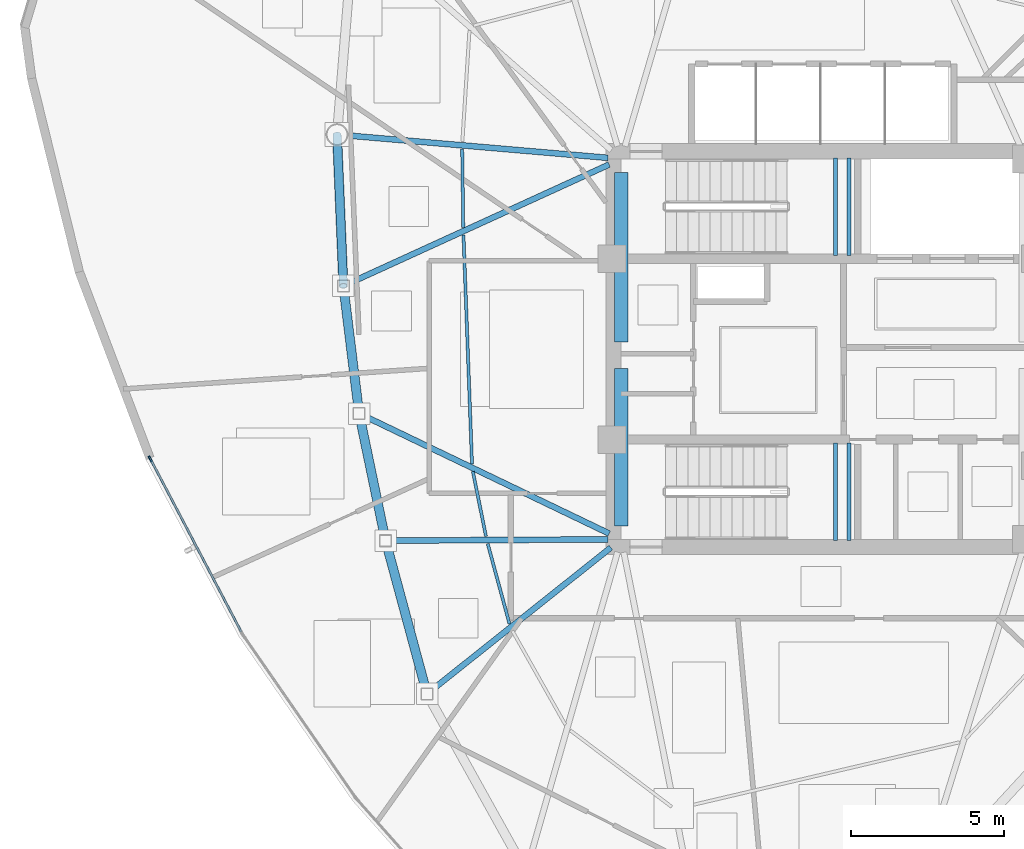
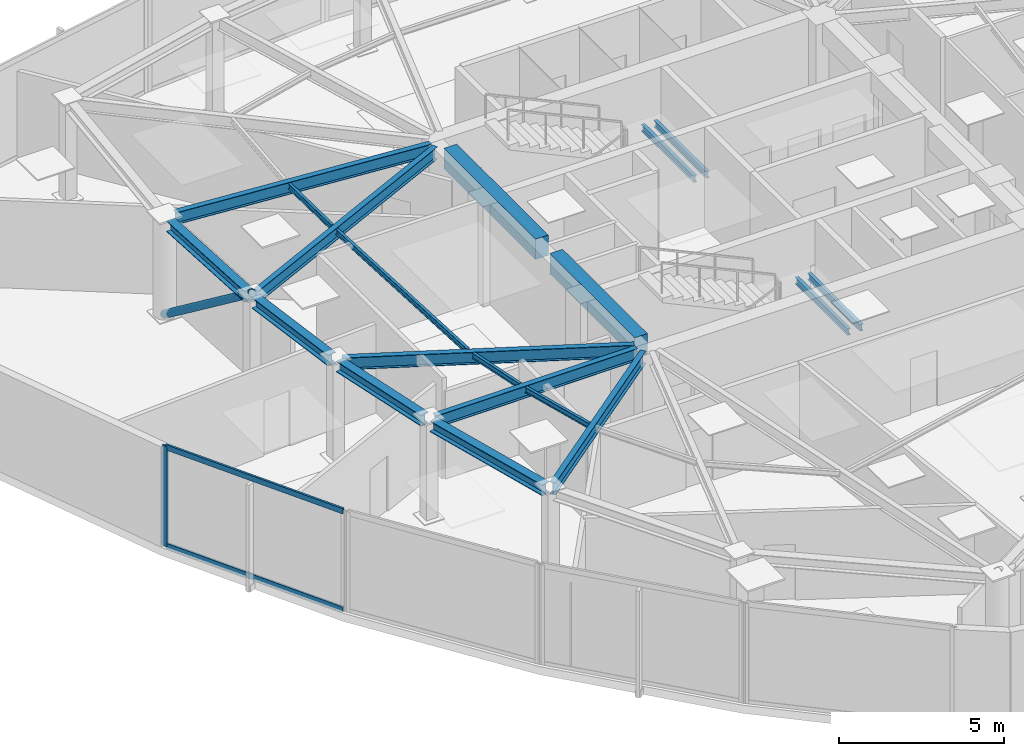
# One storey, part 3 of 13: 19 beams, 4 members, 1 element without a shape of its own.
"""IFC4 building model written with IfcOpenShell, lengths in metres."""

from ifc_helpers import new_model, si_unit, direction, frame, origin, origin_2d, place, context, subcontext, project, spatial, rectangle, hollow_rectangle, hollow_circle, i_section, extrude, source, transform, mapped, material, layer, layer_set, material_profile, profile_set, type_object, type_shapes, element, aggregate, save


model = new_model("IFC4")

# Units and contexts
model_context = context("Model", 3, precision=1e-05, world=origin(), true_north=direction((0.0, 1.0)))
body_context = subcontext(model_context, "Body", "Model", "MODEL_VIEW")
ifc_project = project(units=[si_unit("LENGTHUNIT", "METRE"), si_unit("AREAUNIT", "SQUARE_METRE"), si_unit("VOLUMEUNIT", "CUBIC_METRE"), si_unit("PLANEANGLEUNIT", "RADIAN"), si_unit("MASSUNIT", "GRAM", prefix="KILO")], contexts=[model_context])

# Site, building, storey
site_placement = place(None, origin())
site = spatial("IfcSite", under=ifc_project, at=site_placement, CompositionType="ELEMENT")
building_placement = place(site_placement, origin())
building = spatial("IfcBuilding", under=site, at=building_placement, Name="Tavelor Broadcast Tower", CompositionType="ELEMENT")
storey_placement = place(building_placement, frame((0.0, 0.0, 301.5)))
storey = spatial("IfcBuildingStorey", under=building, at=storey_placement, Name="L72", CompositionType="ELEMENT", Elevation=301.5)

# Beams
ifc_material_1 = material(Name="Concrete C40/50", Category="concrete")
ifc_material_profile_1 = material_profile(ifc_material_1, rectangle(XDim=0.449951171875, YDim=0.75, at=origin_2d()), Name="RC 450x750")
ifc_profile_set_1 = profile_set([ifc_material_profile_1], Name="Concrete C40/50")
beam_type_1 = type_object("IfcBeamType", Name="Basement Core Trim Beam 450x750", PredefinedType="BEAM", material=ifc_profile_set_1)
beam_1_placement = place(storey_placement, frame((43.39990234375, 45.23193359375, 3.324951171875), z_axis=(0.0, 1.0, 0.0), x_axis=(-1.0, 0.0, 0.0)))
element("IfcBeam", 1, at=beam_1_placement, inside=storey, type_object=beam_type_1, Name="L72 Core West-N Tie Girder", PredefinedType="BEAM", context=body_context, shape_type="SweptSolid", body=[
    extrude(rectangle(XDim=0.449951171875, YDim=0.75, at=origin_2d()), origin(), (0.0, 0.0, 1.0), 5.5361328125),
])
beam_2_placement = place(storey_placement, frame((43.39990234375, 39.23193359375, 3.324951171875), z_axis=(0.0, 1.0, 0.0), x_axis=(-1.0, 0.0, 0.0)))
element("IfcBeam", 2, at=beam_2_placement, inside=storey, type_object=beam_type_1, Name="L72 Core West-S Tie Girder", PredefinedType="BEAM", context=body_context, shape_type="SweptSolid", body=[
    extrude(rectangle(XDim=0.449951171875, YDim=0.75, at=origin_2d()), origin(), (0.0, 0.0, 1.0), 5.135986328125),
])
ifc_material_2 = material(Name="Steel S355", Category="steel")
ifc_material_profile_2 = material_profile(ifc_material_2, i_section(OverallWidth=0.10009765625, OverallDepth=0.199951171875, WebThickness=0.005615234375, FlangeThickness=0.008544921875, at=origin_2d()), Name="IPE 200")
ifc_profile_set_2 = profile_set([ifc_material_profile_2], Name="Steel S355")
beam_type_2 = type_object("IfcBeamType", Name="Composite Floor Joist T8 IPE 200", PredefinedType="JOIST", material=ifc_profile_set_2)
beam_3_placement = place(storey_placement, frame((38.21435546875, 51.521728515625, 3.60009765625), z_axis=(0.014168036859, -0.999899628329, 0.0), x_axis=(0.999899628329, 0.014168036859, 0.0)))
element("IfcBeam", 3, at=beam_3_placement, inside=storey, type_object=beam_type_2, Name="L72 Secondary Composite Floor Joist 01", PredefinedType="JOIST", context=body_context, shape_type="SweptSolid", body=[
    extrude(i_section(OverallWidth=0.10009765625, OverallDepth=0.199951171875, WebThickness=0.005615234375, FlangeThickness=0.008544921875, at=origin_2d()), origin(), (0.0, 0.0, 1.0), 2.55029296875),
])
beam_4_placement = place(storey_placement, frame((38.2568359375, 48.72412109375, 3.60009765625), z_axis=(0.037276284898, -0.999304997778, 0.0), x_axis=(0.999304997778, 0.037276284898, 0.0)))
element("IfcBeam", 4, at=beam_4_placement, inside=storey, type_object=beam_type_2, Name="L72 Secondary Composite Floor Joist 02", PredefinedType="JOIST", context=body_context, shape_type="SweptSolid", body=[
    extrude(i_section(OverallWidth=0.10009765625, OverallDepth=0.199951171875, WebThickness=0.005615234375, FlangeThickness=0.008544921875, at=origin_2d()), origin(), (0.0, 0.0, 1.0), 7.472900390625),
])
beam_5_placement = place(storey_placement, frame((38.564208984375, 41.011474609375, 3.60009765625), z_axis=(0.197508991617, -0.980301075298, 0.0), x_axis=(0.980301075298, 0.197508991617, 0.0)))
element("IfcBeam", 5, at=beam_5_placement, inside=storey, type_object=beam_type_2, Name="L72 Secondary Composite Floor Joist 03", PredefinedType="JOIST", context=body_context, shape_type="SweptSolid", body=[
    extrude(i_section(OverallWidth=0.10009765625, OverallDepth=0.199951171875, WebThickness=0.005615234375, FlangeThickness=0.008544921875, at=origin_2d()), origin(), (0.0, 0.0, 1.0), 2.156982421875),
])
beam_6_placement = place(storey_placement, frame((39.047119140625, 38.656005859375, 3.60009765625), z_axis=(0.262422477479, -0.964953078296, 0.0), x_axis=(0.964953078296, 0.262422477479, 0.0)))
element("IfcBeam", 6, at=beam_6_placement, inside=storey, type_object=beam_type_2, Name="L72 Secondary Composite Floor Joist 04", PredefinedType="JOIST", context=body_context, shape_type="SweptSolid", body=[
    extrude(i_section(OverallWidth=0.10009765625, OverallDepth=0.199951171875, WebThickness=0.005615234375, FlangeThickness=0.008544921875, at=origin_2d()), origin(), (0.0, 0.0, 1.0), 2.705322265625),
])
ifc_material_profile_3 = material_profile(ifc_material_2, i_section(OverallWidth=0.300048828125, OverallDepth=0.39990234375, WebThickness=0.013427734375, FlangeThickness=0.02392578125, at=origin_2d()), Name="HEB 400")
ifc_profile_set_3 = profile_set([ifc_material_profile_3], Name="Steel S355")
beam_type_3 = type_object("IfcBeamType", Name="Perimeter Spandrel Beam T8 HEB 400", PredefinedType="SPANDREL", material=ifc_profile_set_3)
beam_7_placement = place(storey_placement, frame((34.149169921875, 51.65478515625, 3.5), z_axis=(0.041837988246, -0.999124408039, 0.0), x_axis=(0.999124408039, 0.041837988246, 0.0)))
element("IfcBeam", 7, at=beam_7_placement, inside=storey, type_object=beam_type_3, Name="L72 Framed-Tube Ring Spandrel 01", PredefinedType="SPANDREL", context=body_context, shape_type="SweptSolid", body=[
    extrude(i_section(OverallWidth=0.300048828125, OverallDepth=0.39990234375, WebThickness=0.013427734375, FlangeThickness=0.02392578125, at=origin_2d()), origin(), (0.0, 0.0, 1.0), 4.40576171875),
])
beam_8_placement = place(storey_placement, frame((34.364990234375, 46.87060546875, 3.5), z_axis=(0.122298070905, -0.992493416529, 0.0), x_axis=(0.992493416529, 0.122298070905, 0.0)))
element("IfcBeam", 8, at=beam_8_placement, inside=storey, type_object=beam_type_3, Name="L72 Framed-Tube Ring Spandrel 02", PredefinedType="SPANDREL", context=body_context, shape_type="SweptSolid", body=[
    extrude(i_section(OverallWidth=0.300048828125, OverallDepth=0.39990234375, WebThickness=0.013427734375, FlangeThickness=0.02392578125, at=origin_2d()), origin(), (0.0, 0.0, 1.0), 3.806884765625),
])
beam_9_placement = place(storey_placement, frame((34.893310546875, 42.7138671875, 3.5), z_axis=(0.203708583251, -0.979031569006, 0.0), x_axis=(0.979031569006, 0.203708583251, 0.0)))
element("IfcBeam", 9, at=beam_9_placement, inside=storey, type_object=beam_type_3, Name="L72 Framed-Tube Ring Spandrel 03", PredefinedType="SPANDREL", context=body_context, shape_type="SweptSolid", body=[
    extrude(i_section(OverallWidth=0.300048828125, OverallDepth=0.39990234375, WebThickness=0.013427734375, FlangeThickness=0.02392578125, at=origin_2d()), origin(), (0.0, 0.0, 1.0), 3.849609375),
])
beam_10_placement = place(storey_placement, frame((35.7666015625, 38.57177734375, 3.5), z_axis=(0.261091192609, -0.965314140134, 0.0), x_axis=(0.965314140134, 0.261091192609, 0.0)))
element("IfcBeam", 10, at=beam_10_placement, inside=storey, type_object=beam_type_3, Name="L72 Framed-Tube Ring Spandrel 04", PredefinedType="SPANDREL", context=body_context, shape_type="SweptSolid", body=[
    extrude(i_section(OverallWidth=0.300048828125, OverallDepth=0.39990234375, WebThickness=0.013427734375, FlangeThickness=0.02392578125, at=origin_2d()), origin(), (0.0, 0.0, 1.0), 4.793212890625),
])

# Member
ifc_material_profile_4 = material_profile(ifc_material_2, hollow_circle(Radius=0.136474609375, WallThickness=0.012451171875, at=origin_2d()), Name="CHS 273x12.5")
ifc_profile_set_4 = profile_set([ifc_material_profile_4], Name="Steel S355")
member_type_1 = type_object("IfcMemberType", Name="Perimeter Tube Brace T8 CHS 273x12.5", PredefinedType="BRACE", material=ifc_profile_set_4)
member_1_placement = place(storey_placement, frame((34.134765625, 51.995849609375, 0.0), z_axis=(0.033508994779, -0.799626685339, 0.599561766095), x_axis=(0.999123106787, 0.041869051625, 0.0)))
element("IfcMember", 11, at=member_1_placement, inside=storey, type_object=member_type_1, Name="L72 Corner Tube Diagonal Brace 1", PredefinedType="BRACE", context=body_context, shape_type="SweptSolid", body=[
    extrude(hollow_circle(Radius=0.136474609375, WallThickness=0.012451171875, at=origin_2d()), origin(), (0.0, 0.0, 1.0), 6.171142578125),
])

# Beams
ifc_material_profile_5 = material_profile(ifc_material_2, i_section(OverallWidth=0.18994140625, OverallDepth=0.449951171875, WebThickness=0.009521484375, FlangeThickness=0.0146484375, at=origin_2d()), Name="IPE 450")
ifc_profile_set_5 = profile_set([ifc_material_profile_5], Name="Steel S355")
beam_type_4 = type_object("IfcBeamType", Name="Radial Floor Girder T8 IPE 450", PredefinedType="BEAM", material=ifc_profile_set_5)
beam_11_placement = place(storey_placement, frame((42.969482421875, 51.237060546875, 3.47509765625), z_axis=(-0.99633041069, 0.085590377581, 0.0), x_axis=(-0.085590377581, -0.99633041069, 0.0)))
element("IfcBeam", 12, at=beam_11_placement, inside=storey, type_object=beam_type_4, Name="L72 Radial Primary Floor Girder 01", PredefinedType="BEAM", context=body_context, shape_type="SweptSolid", body=[
    extrude(i_section(OverallWidth=0.18994140625, OverallDepth=0.449951171875, WebThickness=0.009521484375, FlangeThickness=0.0146484375, at=origin_2d()), origin(), (0.0, 0.0, 1.0), 8.52587890625),
])
beam_12_placement = place(storey_placement, frame((43.007080078125, 51.0205078125, 3.47509765625), z_axis=(-0.909563172595, -0.4155656808, 0.0), x_axis=(0.4155656808, -0.909563172595, 0.0)))
element("IfcBeam", 13, at=beam_12_placement, inside=storey, type_object=beam_type_4, Name="L72 Radial Primary Floor Girder 02", PredefinedType="BEAM", context=body_context, shape_type="SweptSolid", body=[
    extrude(i_section(OverallWidth=0.18994140625, OverallDepth=0.449951171875, WebThickness=0.009521484375, FlangeThickness=0.0146484375, at=origin_2d()), origin(), (0.0, 0.0, 1.0), 9.335205078125),
])
beam_13_placement = place(storey_placement, frame((43.010498046875, 38.98681640625, 3.47509765625), z_axis=(-0.901533812655, 0.432708660233, 0.0), x_axis=(-0.432708660233, -0.901533812655, 0.0)))
element("IfcBeam", 14, at=beam_13_placement, inside=storey, type_object=beam_type_4, Name="L72 Radial Primary Floor Girder 03", PredefinedType="BEAM", context=body_context, shape_type="SweptSolid", body=[
    extrude(i_section(OverallWidth=0.18994140625, OverallDepth=0.449951171875, WebThickness=0.009521484375, FlangeThickness=0.0146484375, at=origin_2d()), origin(), (0.0, 0.0, 1.0), 8.85546875),
])
beam_14_placement = place(storey_placement, frame((42.968017578125, 38.797607421875, 3.47509765625), z_axis=(-0.999984499874, -0.005567765406, 0.0), x_axis=(0.005567765406, -0.999984499874, 0.0)))
element("IfcBeam", 15, at=beam_14_placement, inside=storey, type_object=beam_type_4, Name="L72 Radial Primary Floor Girder 04", PredefinedType="BEAM", context=body_context, shape_type="SweptSolid", body=[
    extrude(i_section(OverallWidth=0.18994140625, OverallDepth=0.449951171875, WebThickness=0.009521484375, FlangeThickness=0.0146484375, at=origin_2d()), origin(), (0.0, 0.0, 1.0), 7.0595703125),
])
beam_15_placement = place(storey_placement, frame((43.06201171875, 38.531005859375, 3.47509765625), z_axis=(-0.782378063296, -0.622803794203, 0.0), x_axis=(0.622803794203, -0.782378063296, 0.0)))
element("IfcBeam", 16, at=beam_15_placement, inside=storey, type_object=beam_type_4, Name="L72 Radial Primary Floor Girder 05", PredefinedType="BEAM", context=body_context, shape_type="SweptSolid", body=[
    extrude(i_section(OverallWidth=0.18994140625, OverallDepth=0.449951171875, WebThickness=0.009521484375, FlangeThickness=0.0146484375, at=origin_2d()), origin(), (0.0, 0.0, 1.0), 7.46923828125),
])
ifc_material_profile_6 = material_profile(ifc_material_2, i_section(OverallWidth=0.1201171875, OverallDepth=0.239990234375, WebThickness=0.006103515625, FlangeThickness=0.009765625, at=origin_2d()), Name="IPE 240")
ifc_profile_set_6 = profile_set([ifc_material_profile_6], Name="Steel S355")
beam_type_5 = type_object("IfcBeamType", Name="Stairwell Landing Support Trimmer Beam IPE240", PredefinedType="BEAM", material=ifc_profile_set_6)
for number, where, z_axis, x_axis, name in (
    (17, (50.385009765625, 48.06005859375, 1.68505859375), (0.0, 1.0, 0.0), (-1.0, 0.0, 0.0), "L72 Stair Landing Support Beam 185"),
    (18, (50.824951171875, 48.06005859375, 1.68505859375), (0.0, 1.0, 0.0), (-1.0, 0.0, 0.0), "L72 Stair Landing Support Beam 186"),
    (19, (50.385009765625, 38.760009765625, 1.68505859375), (0.0, 1.0, 0.0), (-1.0, 0.0, 0.0), "L72 Stair Landing Support Beam 399"),
    (20, (50.824951171875, 38.760009765625, 1.68505859375), (0.0, 1.0, 0.0), (-1.0, 0.0, 0.0), "L72 Stair Landing Support Beam 400"),
):
    element("IfcBeam", number, at=place(storey_placement, frame(where, z_axis=z_axis, x_axis=x_axis)), inside=storey, type_object=beam_type_5, Name=name, PredefinedType="BEAM", context=body_context, shape_type="SweptSolid", body=[
        extrude(i_section(OverallWidth=0.1201171875, OverallDepth=0.239990234375, WebThickness=0.006103515625, FlangeThickness=0.009765625, at=origin_2d()), origin(), (0.0, 0.0, 1.0), 3.179931640625),
    ])

# Curtain wall, members
ifc_material_3 = material(Name="Architectural Anodized Aluminium", Category="aluminium")
ifc_layer = layer(ifc_material_3, 0.199951171875)
ifc_layer_set = layer_set([ifc_layer], Name="Architectural Anodized Aluminium")
curtain_wall_type = type_object("IfcCurtainWallType", Name="Tower High-Zone Triple-Glazed Curtain Wall CW04", PredefinedType="NOTDEFINED", material=ifc_layer_set)
curtain_wall_placement = place(storey_placement, origin())
curtain_wall = element("IfcCurtainWall", 21, at=curtain_wall_placement, inside=storey, type_object=curtain_wall_type, Name="L72 Curtain Wall CW04 Run 793", PredefinedType="NOTDEFINED")
ifc_material_profile_7 = material_profile(ifc_material_3, hollow_rectangle(XDim=0.070068359375, YDim=0.199951171875, WallThickness=0.02197265625, at=origin_2d()), Name="RHS 70x200x22")
ifc_profile_set_7 = profile_set([ifc_material_profile_7], Name="Architectural Anodized Aluminium")
member_type_2 = type_object("IfcMemberType", Name="CW04 Extruded Aluminium Mullion 70x200", PredefinedType="MULLION", material=ifc_profile_set_7)
shared_shape_1 = source(origin(), body_context, "Body", "SweptSolid", [
    extrude(hollow_rectangle(XDim=0.070068359375, YDim=0.199951171875, WallThickness=0.02197265625, at=origin_2d()), origin(), (0.0, 0.0, 1.0), 3.699951171875),
])
type_shapes(member_type_2, [shared_shape_1])
member_2_placement = place(storey_placement, frame((28.046142578125, 41.425537109375, 0.0), z_axis=(0.0, 0.0, 1.0), x_axis=(0.88519480833, 0.465220540502, 0.0)))
member_2 = element("IfcMember", 22, at=member_2_placement, type_object=member_type_2, Name="CW04 mullion 1", PredefinedType="MULLION", context=body_context, shape_type="MappedRepresentation", body=[
    mapped(shared_shape_1, transform((0.0, 0.0, 0.0), scale=1.0)),
])
ifc_material_profile_8 = material_profile(ifc_material_3, hollow_rectangle(XDim=0.070068359375, YDim=0.199951171875, WallThickness=0.02197265625, at=origin_2d()), Name="RHS 70x200x22")
ifc_profile_set_8 = profile_set([ifc_material_profile_8], Name="Architectural Anodized Aluminium")
member_type_3 = type_object("IfcMemberType", Name="CW04 Extruded Aluminium Transom 70x200", PredefinedType="USERDEFINED", material=ifc_profile_set_8)
shared_shape_2 = source(origin(), body_context, "Body", "SweptSolid", [
    extrude(hollow_rectangle(XDim=0.070068359375, YDim=0.199951171875, WallThickness=0.02197265625, at=origin_2d()), origin(), (0.0, 0.0, 1.0), 6.342529296875),
])
type_shapes(member_type_3, [shared_shape_2])
member_3_placement = place(storey_placement, frame((28.062255859375, 41.39453125, 0.034912109375), z_axis=(0.465229157936, -0.885190279322, 0.0), x_axis=(0.885190279322, 0.465229157936, 0.0)))
member_3 = element("IfcMember", 23, at=member_3_placement, type_object=member_type_3, Name="CW04 transom 1.1", ObjectType="TRANSOM", PredefinedType="USERDEFINED", context=body_context, shape_type="MappedRepresentation", body=[
    mapped(shared_shape_2, transform((0.0, 0.0, 0.0), scale=1.0)),
])
member_4_placement = place(storey_placement, frame((28.062255859375, 41.39453125, 3.6650390625), z_axis=(0.465229157936, -0.885190279322, 0.0), x_axis=(0.885190279322, 0.465229157936, 0.0)))
member_4 = element("IfcMember", 24, at=member_4_placement, type_object=member_type_3, Name="CW04 transom 1.2", ObjectType="TRANSOM", PredefinedType="USERDEFINED", context=body_context, shape_type="MappedRepresentation", body=[
    mapped(shared_shape_2, transform((0.0, 0.0, 0.0), scale=1.0)),
])
aggregate(curtain_wall, [member_2, member_3, member_4])

save(model, "model.ifc")
